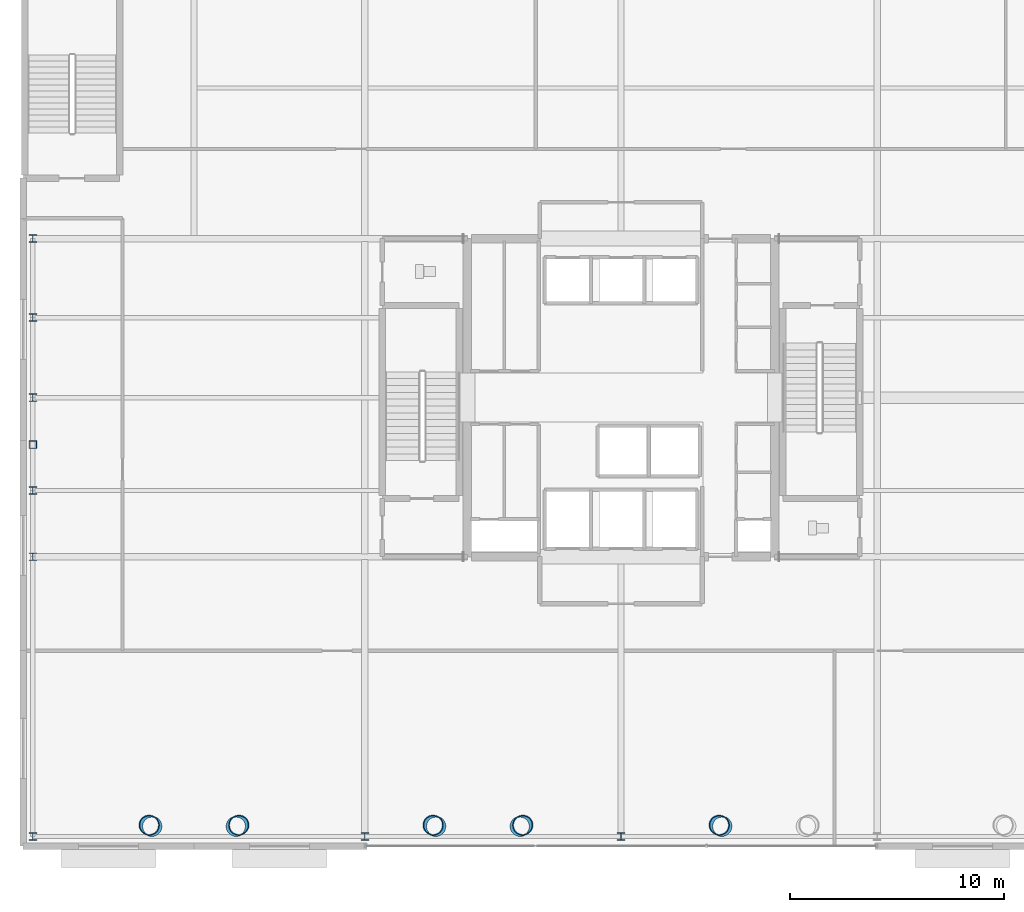
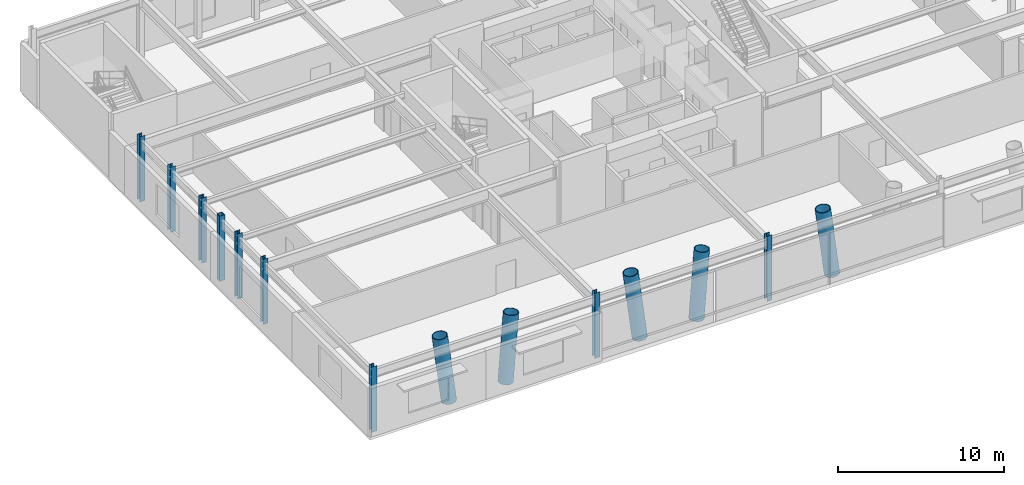
# One storey, part 1 of 26: 14 columns.
"""IFC4 building model written with IfcOpenShell, lengths in metres."""

from ifc_helpers import new_model, si_unit, direction, frame, origin, origin_2d, place, context, subcontext, project, spatial, hollow_rectangle, hollow_circle, i_section, extrude, material, material_profile, profile_set, type_object, element, save


model = new_model("IFC4")

# Units and contexts
model_context = context("Model", 3, precision=1e-05, world=origin(), true_north=direction((0.0, 1.0)))
body_context = subcontext(model_context, "Body", "Model", "MODEL_VIEW")
ifc_project = project(units=[si_unit("LENGTHUNIT", "METRE"), si_unit("AREAUNIT", "SQUARE_METRE"), si_unit("VOLUMEUNIT", "CUBIC_METRE"), si_unit("PLANEANGLEUNIT", "RADIAN"), si_unit("MASSUNIT", "GRAM", prefix="KILO")], contexts=[model_context])

# Site, building, storey
site_placement = place(None, origin())
site = spatial("IfcSite", under=ifc_project, at=site_placement, CompositionType="ELEMENT")
building_placement = place(site_placement, origin())
building = spatial("IfcBuilding", under=site, at=building_placement, Name="Veldorina Hangang Commons", CompositionType="ELEMENT")
storey_placement = place(building_placement, frame((0.0, 0.0, 10.0)))
storey = spatial("IfcBuildingStorey", under=building, at=storey_placement, Name="L02", CompositionType="ELEMENT", Elevation=10.0)

# Columns
ifc_material_1 = material(Name="Steel SM420-TMC", Category="steel")
ifc_material_profile_1 = material_profile(ifc_material_1, i_section(OverallWidth=0.35009765625, OverallDepth=0.35009765625, WebThickness=0.011962890625, FlangeThickness=0.01904296875, FilletRadius=0.01611328125, at=origin_2d()), Name="H-350x350x12x19")
ifc_profile_set_1 = profile_set([ifc_material_profile_1], Name="Steel SM420-TMC")
column_type_1 = type_object("IfcColumnType", Name="COL-H350", PredefinedType="COLUMN", material=ifc_profile_set_1)
for number, where, z_axis, x_axis, name in (
    (1, (4.449951171875, 3.449951171875, 0.0), (0.0, 0.0, 1.0), (1.0, 0.0, 0.0), "L02 structural column S1"),
    (2, (20.0, 3.449951171875, 0.0), (0.0, 0.0, 1.0), (1.0, 0.0, 0.0), "L02 structural column S3"),
    (3, (32.0, 3.449951171875, 0.0), (0.0, 0.0, 1.0), (1.0, 0.0, 0.0), "L02 structural column S4"),
    (4, (4.449951171875, 16.550048828125, 0.0), (0.0, 0.0, 1.0), (1.0, 0.0, 0.0), "L02 structural column W1"),
    (5, (4.449951171875, 19.64990234375, 0.0), (0.0, 0.0, 1.0), (1.0, 0.0, 0.0), "L02 structural column W2"),
    (6, (4.449951171875, 24.0, 0.0), (0.0, 0.0, 1.0), (1.0, 0.0, 0.0), "L02 structural column W3"),
    (7, (4.449951171875, 27.75, 0.0), (0.0, 0.0, 1.0), (1.0, 0.0, 0.0), "L02 structural column W4"),
    (8, (4.449951171875, 31.449951171875, 0.0), (0.0, 0.0, 1.0), (1.0, 0.0, 0.0), "L02 structural column W5"),
):
    element("IfcColumn", number, at=place(storey_placement, frame(where, z_axis=z_axis, x_axis=x_axis)), inside=storey, type_object=column_type_1, Name=name, PredefinedType="COLUMN", context=body_context, shape_type="SweptSolid", body=[
        extrude(i_section(OverallWidth=0.35009765625, OverallDepth=0.35009765625, WebThickness=0.011962890625, FlangeThickness=0.01904296875, FilletRadius=0.01611328125, at=origin_2d()), origin(), (0.0, 0.0, 1.0), 4.800048828125),
    ])
ifc_material_2 = material(Name="Steel SM355-TMC", Category="steel")
ifc_material_profile_2 = material_profile(ifc_material_2, hollow_rectangle(XDim=0.35009765625, YDim=0.35009765625, WallThickness=0.01611328125, at=origin_2d()), Name="SHS-350x350x16")
ifc_profile_set_2 = profile_set([ifc_material_profile_2], Name="Steel SM355-TMC")
column_type_2 = type_object("IfcColumnType", Name="COL-PIL-350", PredefinedType="PILASTER", material=ifc_profile_set_2)
column_placement = place(storey_placement, frame((4.449951171875, 21.800048828125, 0.0), z_axis=(0.0, 0.0, 1.0), x_axis=(1.0, 0.0, 0.0)))
element("IfcColumn", 9, at=column_placement, inside=storey, type_object=column_type_2, Name="L02 rationalist colonnade pilaster 3", PredefinedType="PILASTER", context=body_context, shape_type="SweptSolid", body=[
    extrude(hollow_rectangle(XDim=0.35009765625, YDim=0.35009765625, WallThickness=0.01611328125, at=origin_2d()), origin(), (0.0, 0.0, 1.0), 4.800048828125),
])
ifc_material_3 = material(Name="Steel SM490-TMC", Category="steel")
ifc_material_profile_3 = material_profile(ifc_material_3, hollow_circle(Radius=0.47509765625, WallThickness=0.044921875, at=origin_2d()), Name="CHS-950x45")
ifc_profile_set_3 = profile_set([ifc_material_profile_3], Name="Steel SM490-TMC")
column_type_3 = type_object("IfcColumnType", Name="COL-VC950", PredefinedType="COLUMN", material=ifc_profile_set_3)
for number, where, z_axis, x_axis, name in (
    (10, (10.022705078125, 3.92138671875, 0.0), (-0.105040916428, 0.046785901208, 0.99336674261), (-0.406872156318, -0.913485111216, 0.0), "L02 sculptural V-column VC-1 leg L"),
    (11, (13.977294921875, 3.92138671875, 0.0), (0.105040916428, 0.046785901208, 0.99336674261), (-0.406872156318, 0.913485111216, 0.0), "L02 sculptural V-column VC-1 leg R"),
    (12, (23.322509765625, 3.92138671875, 0.0), (-0.104990948768, 0.046786149451, 0.993372013345), (-0.407035522994, -0.913412329138, 0.0), "L02 sculptural V-column VC-2 leg L"),
    (13, (27.27734375, 3.92138671875, 0.0), (0.105040916428, 0.046785901208, 0.99336674261), (-0.406872156318, 0.913485111216, 0.0), "L02 sculptural V-column VC-2 leg R"),
    (14, (36.72265625, 3.92138671875, 0.0), (-0.105040916428, 0.046785901208, 0.99336674261), (-0.406872156318, -0.913485111216, 0.0), "L02 sculptural V-column VC-3 leg L"),
):
    element("IfcColumn", number, at=place(storey_placement, frame(where, z_axis=z_axis, x_axis=x_axis)), inside=storey, type_object=column_type_3, Name=name, PredefinedType="COLUMN", context=body_context, shape_type="SweptSolid", body=[
        extrude(hollow_circle(Radius=0.47509765625, WallThickness=0.044921875, at=origin_2d()), origin(), (0.0, 0.0, 1.0), 4.83203125),
    ])

save(model, "model.ifc")
